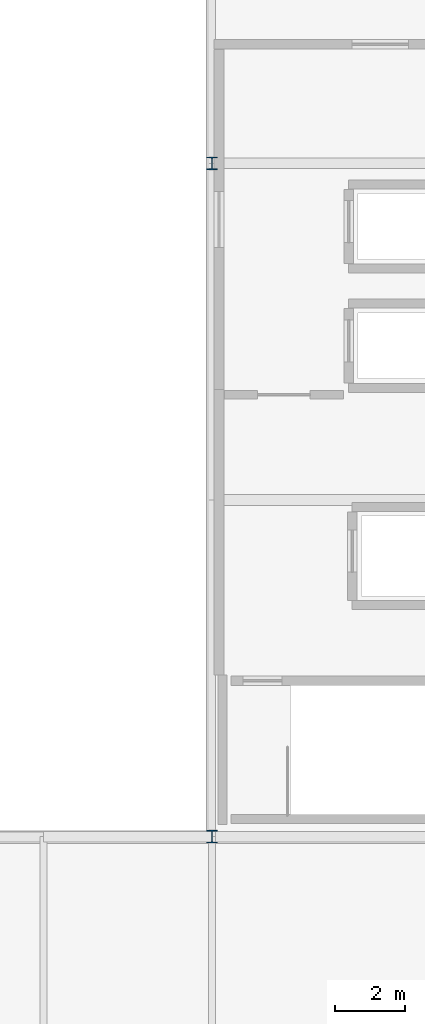
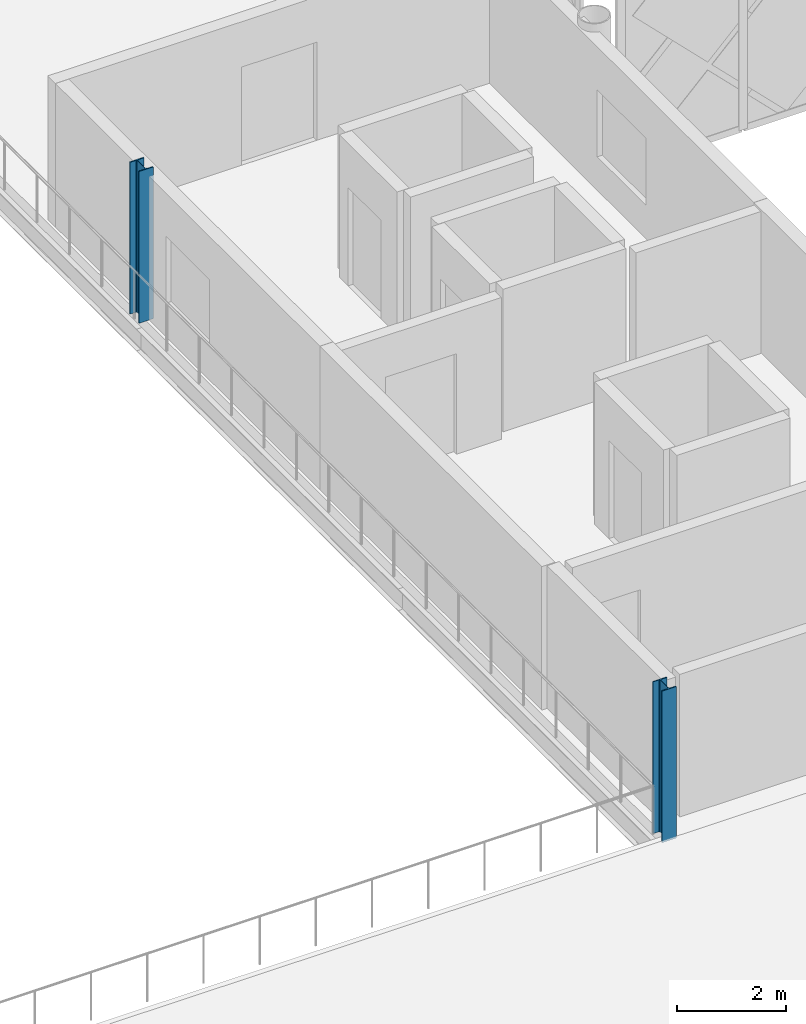
# One storey, part 2 of 53: 2 columns.
"""IFC4 building model written with IfcOpenShell, lengths in metres."""

from ifc_helpers import new_model, si_unit, direction, frame, origin, origin_2d, place, context, subcontext, project, spatial, i_section, extrude, material, material_profile, profile_set, type_object, element, save


model = new_model("IFC4")

# Units and contexts
model_context = context("Model", 3, precision=1e-05, world=origin(), true_north=direction((0.0, 1.0)))
body_context = subcontext(model_context, "Body", "Model", "MODEL_VIEW")
ifc_project = project(units=[si_unit("LENGTHUNIT", "METRE"), si_unit("AREAUNIT", "SQUARE_METRE"), si_unit("VOLUMEUNIT", "CUBIC_METRE"), si_unit("PLANEANGLEUNIT", "RADIAN"), si_unit("MASSUNIT", "GRAM", prefix="KILO")], contexts=[model_context])

# Site, building, storey
site_placement = place(None, origin())
site = spatial("IfcSite", under=ifc_project, at=site_placement, CompositionType="ELEMENT")
building_placement = place(site_placement, origin())
building = spatial("IfcBuilding", under=site, at=building_placement, Name="Zevrakil Square Congress Hotel", CompositionType="ELEMENT")
storey_placement = place(building_placement, frame((0.0, 0.0, 14.699951171875)))
storey = spatial("IfcBuildingStorey", under=building, at=storey_placement, Name="L04", CompositionType="ELEMENT", Elevation=14.699951171875)

# Columns
ifc_material = material(Name="Steel S355", Category="steel")
ifc_material_profile = material_profile(ifc_material, i_section(OverallWidth=0.300048828125, OverallDepth=0.360107421875, WebThickness=0.012451171875, FlangeThickness=0.0224609375, FilletRadius=0.027099609375, at=origin_2d()), Name="HEB 360")
ifc_profile_set = profile_set([ifc_material_profile], Name="Steel S355")
column_type = type_object("IfcColumnType", Name="COL-HEB360", PredefinedType="COLUMN", material=ifc_profile_set)
for number, where, z_axis, x_axis, name in (
    (1, (108.0, 45.60009765625, 0.0), (0.0, 0.0, 1.0), (1.0, 0.0, 0.0), "L04 column C-168"),
    (2, (108.0, 64.800048828125, 0.0), (0.0, 0.0, 1.0), (1.0, 0.0, 0.0), "L04 column C-170"),
):
    element("IfcColumn", number, at=place(storey_placement, frame(where, z_axis=z_axis, x_axis=x_axis)), inside=storey, type_object=column_type, Name=name, PredefinedType="COLUMN", context=body_context, shape_type="SweptSolid", body=[
        extrude(i_section(OverallWidth=0.300048828125, OverallDepth=0.360107421875, WebThickness=0.012451171875, FlangeThickness=0.0224609375, FilletRadius=0.027099609375, at=origin_2d()), origin(), (0.0, 0.0, 1.0), 3.400146484375),
    ])

save(model, "model.ifc")
